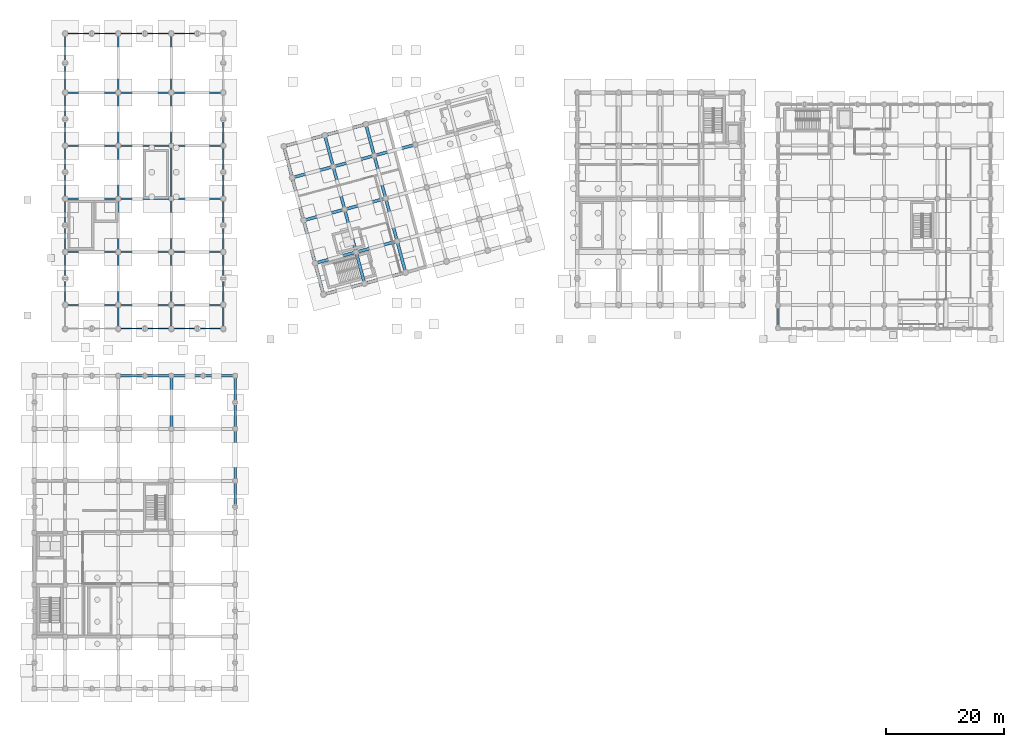
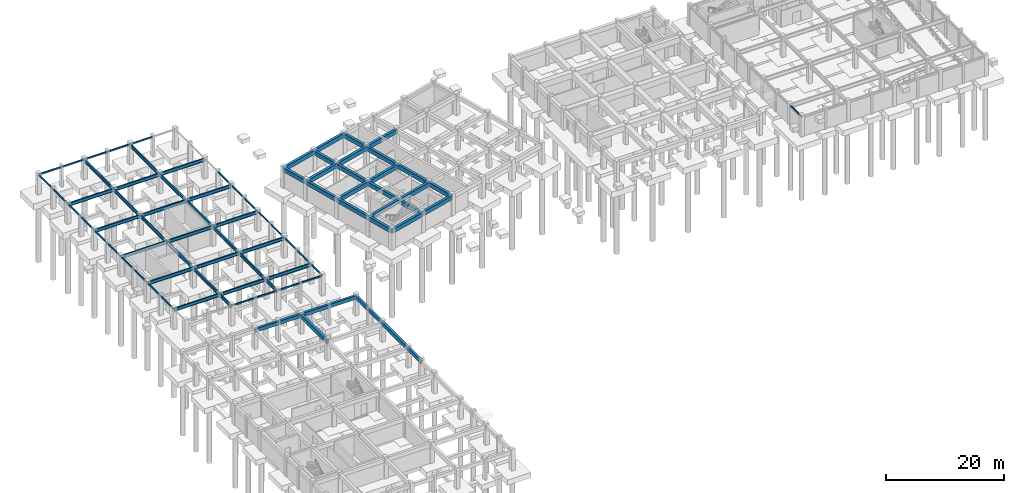
# One storey, part 8 of 20: 87 beams.
"""IFC4 building model written with IfcOpenShell, lengths in metres."""

from ifc_helpers import new_model, si_unit, direction, frame, origin, origin_2d, place, context, subcontext, project, spatial, rectangle, hollow_rectangle, i_section, extrude, material, material_profile, profile_set, type_object, element, save


model = new_model("IFC4")

# Units and contexts
model_context = context("Model", 3, precision=1e-05, world=origin(), true_north=direction((0.0, 1.0)))
body_context = subcontext(model_context, "Body", "Model", "MODEL_VIEW")
ifc_project = project(units=[si_unit("LENGTHUNIT", "METRE"), si_unit("AREAUNIT", "SQUARE_METRE"), si_unit("VOLUMEUNIT", "CUBIC_METRE"), si_unit("PLANEANGLEUNIT", "RADIAN"), si_unit("MASSUNIT", "GRAM", prefix="KILO")], contexts=[model_context])

# Site, building, storey
site_placement = place(None, origin())
site = spatial("IfcSite", under=ifc_project, at=site_placement, CompositionType="ELEMENT")
building_placement = place(site_placement, origin())
building = spatial("IfcBuilding", under=site, at=building_placement, Name="Ventoquebrada Cableway Terminal", CompositionType="ELEMENT")
storey_placement = place(building_placement, frame((0.0, 0.0, -4.5)))
storey = spatial("IfcBuildingStorey", under=building, at=storey_placement, Name="B1", CompositionType="ELEMENT", Elevation=-4.5)

# Beams
ifc_material_1 = material(Name="Concrete C40/50", Category="concrete")
ifc_material_profile_1 = material_profile(ifc_material_1, rectangle(XDim=0.5, YDim=0.85009765625, at=origin_2d()), Name="RC-BM-500X850")
ifc_profile_set_1 = profile_set([ifc_material_profile_1], Name="Concrete C40/50")
beam_type_1 = type_object("IfcBeamType", Name="BM-RC04", PredefinedType="BEAM", material=ifc_profile_set_1)
beam_1_placement = place(storey_placement, frame((26.199951171875, 47.0, 3.655029296875), z_axis=(0.0, 1.0, 0.0), x_axis=(-1.0, 0.0, 0.0)))
element("IfcBeam", 1, at=beam_1_placement, inside=storey, type_object=beam_type_1, Name="Primary frame girder FBM-0062", PredefinedType="BEAM", context=body_context, shape_type="SweptSolid", body=[
    extrude(rectangle(XDim=0.5, YDim=0.85009765625, at=origin_2d()), origin(), (0.0, 0.0, 1.0), 9.0),
])
beam_2_placement = place(storey_placement, frame((51.97802734375, 69.783935546875, 3.72509765625), z_axis=(-0.258897298886, 0.965904854853, 0.0), x_axis=(-0.965904854853, -0.258897298886, 0.0)))
element("IfcBeam", 2, at=beam_2_placement, inside=storey, type_object=beam_type_1, Name="Splayed station girder FBM-0905", PredefinedType="BEAM", context=body_context, shape_type="SweptSolid", body=[
    extrude(rectangle(XDim=0.5, YDim=0.85009765625, at=origin_2d()), origin(), (0.0, 0.0, 1.0), 5.50048828125),
])
beam_3_placement = place(storey_placement, frame((50.553955078125, 75.096923828125, 3.72509765625), z_axis=(-0.258801172479, 0.965930615067, 0.0), x_axis=(-0.965930615067, -0.258801172479, 0.0)))
element("IfcBeam", 3, at=beam_3_placement, inside=storey, type_object=beam_type_1, Name="Splayed station girder FBM-0906", PredefinedType="BEAM", context=body_context, shape_type="SweptSolid", body=[
    extrude(rectangle(XDim=0.5, YDim=0.85009765625, at=origin_2d()), origin(), (0.0, 0.0, 1.0), 7.499755859375),
])
beam_4_placement = place(storey_placement, frame((48.613037109375, 82.341064453125, 3.72509765625), z_axis=(-0.258776761059, 0.965937155273, 0.0), x_axis=(-0.965937155273, -0.258776761059, 0.0)))
element("IfcBeam", 4, at=beam_4_placement, inside=storey, type_object=beam_type_1, Name="Splayed station girder FBM-0907", PredefinedType="BEAM", context=body_context, shape_type="SweptSolid", body=[
    extrude(rectangle(XDim=0.5, YDim=0.85009765625, at=origin_2d()), origin(), (0.0, 0.0, 1.0), 7.500244140625),
])
beam_5_placement = place(storey_placement, frame((46.672119140625, 89.5859375, 3.72509765625), z_axis=(-0.25877602824, 0.965937351596, 0.0), x_axis=(-0.965937351596, -0.25877602824, 0.0)))
element("IfcBeam", 5, at=beam_5_placement, inside=storey, type_object=beam_type_1, Name="Splayed station girder FBM-0908", PredefinedType="BEAM", context=body_context, shape_type="SweptSolid", body=[
    extrude(rectangle(XDim=0.5, YDim=0.85009765625, at=origin_2d()), origin(), (0.0, 0.0, 1.0), 5.499267578125),
])
beam_6_placement = place(storey_placement, frame((58.93310546875, 71.64794921875, 3.72509765625), z_axis=(-0.258941703614, 0.965892951693, 0.0), x_axis=(-0.965892951693, -0.258941703614, 0.0)))
element("IfcBeam", 6, at=beam_6_placement, inside=storey, type_object=beam_type_1, Name="Splayed station girder FBM-0909", PredefinedType="BEAM", context=body_context, shape_type="SweptSolid", body=[
    extrude(rectangle(XDim=0.5, YDim=0.85009765625, at=origin_2d()), origin(), (0.0, 0.0, 1.0), 5.49951171875),
])
beam_7_placement = place(storey_placement, frame((57.509033203125, 76.9599609375, 3.72509765625), z_axis=(-0.258768624905, 0.96593933493, 0.0), x_axis=(-0.96593933493, -0.258768624905, 0.0)))
element("IfcBeam", 7, at=beam_7_placement, inside=storey, type_object=beam_type_1, Name="Splayed station girder FBM-0910", PredefinedType="BEAM", context=body_context, shape_type="SweptSolid", body=[
    extrude(rectangle(XDim=0.5, YDim=0.85009765625, at=origin_2d()), origin(), (0.0, 0.0, 1.0), 7.50048828125),
])
beam_8_placement = place(storey_placement, frame((55.568115234375, 84.205078125, 3.72509765625), z_axis=(-0.258839684269, 0.965920295805, 0.0), x_axis=(-0.965920295805, -0.258839684269, 0.0)))
element("IfcBeam", 8, at=beam_8_placement, inside=storey, type_object=beam_type_1, Name="Splayed station girder FBM-0911", PredefinedType="BEAM", context=body_context, shape_type="SweptSolid", body=[
    extrude(rectangle(XDim=0.5, YDim=0.85009765625, at=origin_2d()), origin(), (0.0, 0.0, 1.0), 7.49951171875),
])
beam_9_placement = place(storey_placement, frame((53.626953125, 91.448974609375, 3.72509765625), z_axis=(-0.258897298886, 0.965904854853, 0.0), x_axis=(-0.965904854853, -0.258897298886, 0.0)))
element("IfcBeam", 9, at=beam_9_placement, inside=storey, type_object=beam_type_1, Name="Splayed station girder FBM-0912", PredefinedType="BEAM", context=body_context, shape_type="SweptSolid", body=[
    extrude(rectangle(XDim=0.5, YDim=0.85009765625, at=origin_2d()), origin(), (0.0, 0.0, 1.0), 5.50048828125),
])
beam_10_placement = place(storey_placement, frame((65.886962890625, 73.510986328125, 3.72509765625), z_axis=(-0.258690231517, 0.96596033258, 0.0), x_axis=(-0.96596033258, -0.258690231517, 0.0)))
element("IfcBeam", 10, at=beam_10_placement, inside=storey, type_object=beam_type_1, Name="Splayed station girder FBM-0913", PredefinedType="BEAM", context=body_context, shape_type="SweptSolid", body=[
    extrude(rectangle(XDim=0.5, YDim=0.85009765625, at=origin_2d()), origin(), (0.0, 0.0, 1.0), 5.500244140625),
])
beam_11_placement = place(storey_placement, frame((64.464111328125, 78.823974609375, 3.72509765625), z_axis=(-0.258831545324, 0.965922476778, 0.0), x_axis=(-0.965922476778, -0.258831545324, 0.0)))
element("IfcBeam", 11, at=beam_11_placement, inside=storey, type_object=beam_type_1, Name="Splayed station girder FBM-0914", PredefinedType="BEAM", context=body_context, shape_type="SweptSolid", body=[
    extrude(rectangle(XDim=0.5, YDim=0.85009765625, at=origin_2d()), origin(), (0.0, 0.0, 1.0), 7.499755859375),
])
beam_12_placement = place(storey_placement, frame((62.52294921875, 86.068115234375, 3.72509765625), z_axis=(-0.258776761059, 0.965937155273, 0.0), x_axis=(-0.965937155273, -0.258776761059, 0.0)))
element("IfcBeam", 12, at=beam_12_placement, inside=storey, type_object=beam_type_1, Name="Splayed station girder FBM-0915", PredefinedType="BEAM", context=body_context, shape_type="SweptSolid", body=[
    extrude(rectangle(XDim=0.5, YDim=0.85009765625, at=origin_2d()), origin(), (0.0, 0.0, 1.0), 7.500244140625),
])
beam_13_placement = place(storey_placement, frame((60.58203125, 93.31298828125, 3.72509765625), z_axis=(-0.258941703614, 0.965892951693, 0.0), x_axis=(-0.965892951693, -0.258941703614, 0.0)))
element("IfcBeam", 13, at=beam_13_placement, inside=storey, type_object=beam_type_1, Name="Splayed station girder FBM-0916", PredefinedType="BEAM", context=body_context, shape_type="SweptSolid", body=[
    extrude(rectangle(XDim=0.5, YDim=0.85009765625, at=origin_2d()), origin(), (0.0, 0.0, 1.0), 5.49951171875),
])
beam_14_placement = place(storey_placement, frame((51.97802734375, 69.783935546875, 3.72509765625), z_axis=(0.96591172503, 0.258871665986, 0.0), x_axis=(-0.258871665986, 0.96591172503, 0.0)))
element("IfcBeam", 14, at=beam_14_placement, inside=storey, type_object=beam_type_1, Name="Splayed station girder FBM-0929", PredefinedType="BEAM", context=body_context, shape_type="SweptSolid", body=[
    extrude(rectangle(XDim=0.5, YDim=0.85009765625, at=origin_2d()), origin(), (0.0, 0.0, 1.0), 7.200439453125),
])
beam_15_placement = place(storey_placement, frame((58.93310546875, 71.64794921875, 3.72509765625), z_axis=(0.965934277216, 0.258787503754, 0.0), x_axis=(-0.258787503754, 0.965934277216, 0.0)))
element("IfcBeam", 15, at=beam_15_placement, inside=storey, type_object=beam_type_1, Name="Splayed station girder FBM-0930", PredefinedType="BEAM", context=body_context, shape_type="SweptSolid", body=[
    extrude(rectangle(XDim=0.5, YDim=0.85009765625, at=origin_2d()), origin(), (0.0, 0.0, 1.0), 7.19921875),
])
beam_16_placement = place(storey_placement, frame((50.553955078125, 75.096923828125, 3.72509765625), z_axis=(0.965945630245, 0.258745124417, 0.0), x_axis=(-0.258745124417, 0.965945630245, 0.0)))
element("IfcBeam", 16, at=beam_16_placement, inside=storey, type_object=beam_type_1, Name="Splayed station girder FBM-0934", PredefinedType="BEAM", context=body_context, shape_type="SweptSolid", body=[
    extrude(rectangle(XDim=0.5, YDim=0.85009765625, at=origin_2d()), origin(), (0.0, 0.0, 1.0), 7.2001953125),
])
for number, where, z_axis, x_axis, name in (
    (17, (57.509033203125, 76.9599609375, 3.72509765625), (0.96591172503, 0.258871665986, 0.0), (-0.258871665986, 0.96591172503, 0.0), "Splayed station girder FBM-0935"),
    (18, (48.613037109375, 82.341064453125, 3.72509765625), (0.96591172503, 0.258871665986, 0.0), (-0.258871665986, 0.96591172503, 0.0), "Splayed station girder FBM-0939"),
):
    element("IfcBeam", number, at=place(storey_placement, frame(where, z_axis=z_axis, x_axis=x_axis)), inside=storey, type_object=beam_type_1, Name=name, PredefinedType="BEAM", context=body_context, shape_type="SweptSolid", body=[
        extrude(rectangle(XDim=0.5, YDim=0.85009765625, at=origin_2d()), origin(), (0.0, 0.0, 1.0), 7.200439453125),
    ])
for number, where, z_axis, x_axis, name in (
    (19, (55.568115234375, 84.205078125, 3.72509765625), (0.965943360086, 0.258753599214, 0.0), (-0.258753599214, 0.965943360086, 0.0), "Splayed station girder FBM-0940"),
    (20, (46.672119140625, 89.5859375, 3.72509765625), (0.965943360086, 0.258753599214, 0.0), (-0.258753599214, 0.965943360086, 0.0), "Splayed station girder FBM-0944"),
):
    element("IfcBeam", number, at=place(storey_placement, frame(where, z_axis=z_axis, x_axis=x_axis)), inside=storey, type_object=beam_type_1, Name=name, PredefinedType="BEAM", context=body_context, shape_type="SweptSolid", body=[
        extrude(rectangle(XDim=0.5, YDim=0.85009765625, at=origin_2d()), origin(), (0.0, 0.0, 1.0), 7.199951171875),
    ])
beam_17_placement = place(storey_placement, frame((53.626953125, 91.448974609375, 3.72509765625), z_axis=(0.96591172503, 0.258871665986, 0.0), x_axis=(-0.258871665986, 0.96591172503, 0.0)))
element("IfcBeam", 21, at=beam_17_placement, inside=storey, type_object=beam_type_1, Name="Splayed station girder FBM-0945", PredefinedType="BEAM", context=body_context, shape_type="SweptSolid", body=[
    extrude(rectangle(XDim=0.5, YDim=0.85009765625, at=origin_2d()), origin(), (0.0, 0.0, 1.0), 7.200439453125),
])
beam_18_placement = place(storey_placement, frame((60.58203125, 93.31298828125, 3.72509765625), z_axis=(0.965934277216, 0.258787503754, 0.0), x_axis=(-0.258787503754, 0.965934277216, 0.0)))
element("IfcBeam", 22, at=beam_18_placement, inside=storey, type_object=beam_type_1, Name="Splayed station girder FBM-0946", PredefinedType="BEAM", context=body_context, shape_type="SweptSolid", body=[
    extrude(rectangle(XDim=0.5, YDim=0.85009765625, at=origin_2d()), origin(), (0.0, 0.0, 1.0), 7.19921875),
])
beam_19_placement = place(storey_placement, frame((45.2490234375, 94.89794921875, 3.72509765625), z_axis=(0.965900361292, 0.258914063071, 0.0), x_axis=(-0.258914063071, 0.965900361292, 0.0)))
element("IfcBeam", 23, at=beam_19_placement, inside=storey, type_object=beam_type_1, Name="Splayed station girder FBM-0949", PredefinedType="BEAM", context=body_context, shape_type="SweptSolid", body=[
    extrude(rectangle(XDim=0.5, YDim=0.85009765625, at=origin_2d()), origin(), (0.0, 0.0, 1.0), 7.199462890625),
])
beam_20_placement = place(storey_placement, frame((52.202880859375, 96.761962890625, 3.72509765625), z_axis=(0.965945630245, 0.258745124417, 0.0), x_axis=(-0.258745124417, 0.965945630245, 0.0)))
element("IfcBeam", 24, at=beam_20_placement, inside=storey, type_object=beam_type_1, Name="Splayed station girder FBM-0950", PredefinedType="BEAM", context=body_context, shape_type="SweptSolid", body=[
    extrude(rectangle(XDim=0.5, YDim=0.85009765625, at=origin_2d()), origin(), (0.0, 0.0, 1.0), 7.2001953125),
])
ifc_material_2 = material(Name="Steel ASTM A992 Grade 50", Category="steel")
ifc_material_profile_2 = material_profile(ifc_material_2, i_section(OverallWidth=0.25390625, OverallDepth=0.68798828125, WebThickness=0.01318359375, FlangeThickness=0.02099609375, at=origin_2d()), Name="W27X102")
ifc_profile_set_2 = profile_set([ifc_material_profile_2], Name="Steel ASTM A992 Grade 50")
beam_type_2 = type_object("IfcBeamType", Name="BM-ST04", PredefinedType="BEAM", material=ifc_profile_set_2)
for number, where, z_axis, x_axis, name in (
    (25, (8.199951171875, 68.0, 3.7958984375), (1.0, 0.0, 0.0), (0.0, 1.0, 0.0), "Primary frame girder FBM-0261"),
    (26, (17.199951171875, 68.0, 3.7958984375), (1.0, 0.0, 0.0), (0.0, 1.0, 0.0), "Primary frame girder FBM-0262"),
):
    element("IfcBeam", number, at=place(storey_placement, frame(where, z_axis=z_axis, x_axis=x_axis)), inside=storey, type_object=beam_type_2, Name=name, PredefinedType="BEAM", context=body_context, shape_type="SweptSolid", body=[
        extrude(i_section(OverallWidth=0.25390625, OverallDepth=0.68798828125, WebThickness=0.01318359375, FlangeThickness=0.02099609375, at=origin_2d()), origin(), (0.0, 0.0, 1.0), 9.0),
    ])
beam_21_placement = place(storey_placement, frame((26.199951171875, 68.0, 3.7958984375), z_axis=(1.0, 0.0, 0.0), x_axis=(0.0, 1.0, 0.0)))
element("IfcBeam", 27, at=beam_21_placement, inside=storey, type_object=beam_type_2, Name="Primary frame girder FBM-0263", PredefinedType="BEAM", context=body_context, shape_type="SweptSolid", body=[
    extrude(i_section(OverallWidth=0.25390625, OverallDepth=0.68798828125, WebThickness=0.01318359375, FlangeThickness=0.02099609375, at=origin_2d()), origin(), (0.0, 0.0, 1.0), 8.800048828125),
])
for number, where, z_axis, x_axis, name in (
    (28, (8.199951171875, 77.0, 3.7958984375), (1.0, 0.0, 0.0), (0.0, 1.0, 0.0), "Primary frame girder FBM-0264"),
    (29, (17.199951171875, 77.0, 3.7958984375), (1.0, 0.0, 0.0), (0.0, 1.0, 0.0), "Primary frame girder FBM-0265"),
):
    element("IfcBeam", number, at=place(storey_placement, frame(where, z_axis=z_axis, x_axis=x_axis)), inside=storey, type_object=beam_type_2, Name=name, PredefinedType="BEAM", context=body_context, shape_type="SweptSolid", body=[
        extrude(i_section(OverallWidth=0.25390625, OverallDepth=0.68798828125, WebThickness=0.01318359375, FlangeThickness=0.02099609375, at=origin_2d()), origin(), (0.0, 0.0, 1.0), 9.0),
    ])
beam_22_placement = place(storey_placement, frame((26.199951171875, 77.0, 3.7958984375), z_axis=(1.0, 0.0, 0.0), x_axis=(0.0, 1.0, 0.0)))
element("IfcBeam", 30, at=beam_22_placement, inside=storey, type_object=beam_type_2, Name="Primary frame girder FBM-0266", PredefinedType="BEAM", context=body_context, shape_type="SweptSolid", body=[
    extrude(i_section(OverallWidth=0.25390625, OverallDepth=0.68798828125, WebThickness=0.01318359375, FlangeThickness=0.02099609375, at=origin_2d()), origin(), (0.0, 0.0, 1.0), 8.800048828125),
])
for number, where, z_axis, x_axis, name in (
    (31, (8.199951171875, 86.0, 3.7958984375), (1.0, 0.0, 0.0), (0.0, 1.0, 0.0), "Primary frame girder FBM-0267"),
    (32, (17.199951171875, 86.0, 3.7958984375), (1.0, 0.0, 0.0), (0.0, 1.0, 0.0), "Primary frame girder FBM-0268"),
):
    element("IfcBeam", number, at=place(storey_placement, frame(where, z_axis=z_axis, x_axis=x_axis)), inside=storey, type_object=beam_type_2, Name=name, PredefinedType="BEAM", context=body_context, shape_type="SweptSolid", body=[
        extrude(i_section(OverallWidth=0.25390625, OverallDepth=0.68798828125, WebThickness=0.01318359375, FlangeThickness=0.02099609375, at=origin_2d()), origin(), (0.0, 0.0, 1.0), 9.0),
    ])
beam_23_placement = place(storey_placement, frame((26.199951171875, 86.0, 3.7958984375), z_axis=(1.0, 0.0, 0.0), x_axis=(0.0, 1.0, 0.0)))
element("IfcBeam", 33, at=beam_23_placement, inside=storey, type_object=beam_type_2, Name="Primary frame girder FBM-0269", PredefinedType="BEAM", context=body_context, shape_type="SweptSolid", body=[
    extrude(i_section(OverallWidth=0.25390625, OverallDepth=0.68798828125, WebThickness=0.01318359375, FlangeThickness=0.02099609375, at=origin_2d()), origin(), (0.0, 0.0, 1.0), 8.800048828125),
])
for number, where, z_axis, x_axis, name in (
    (34, (8.199951171875, 95.0, 3.736083984375), (1.0, 0.0, 0.0), (0.0, 1.0, 0.0), "Primary frame girder FBM-0270"),
    (35, (17.199951171875, 95.0, 3.736083984375), (1.0, 0.0, 0.0), (0.0, 1.0, 0.0), "Primary frame girder FBM-0271"),
):
    element("IfcBeam", number, at=place(storey_placement, frame(where, z_axis=z_axis, x_axis=x_axis)), inside=storey, type_object=beam_type_2, Name=name, PredefinedType="BEAM", context=body_context, shape_type="SweptSolid", body=[
        extrude(i_section(OverallWidth=0.25390625, OverallDepth=0.68798828125, WebThickness=0.01318359375, FlangeThickness=0.02099609375, at=origin_2d()), origin(), (0.0, 0.0, 1.0), 9.0),
    ])
beam_24_placement = place(storey_placement, frame((26.199951171875, 95.0, 3.736083984375), z_axis=(1.0, 0.0, 0.0), x_axis=(0.0, 1.0, 0.0)))
element("IfcBeam", 36, at=beam_24_placement, inside=storey, type_object=beam_type_2, Name="Primary frame girder FBM-0272", PredefinedType="BEAM", context=body_context, shape_type="SweptSolid", body=[
    extrude(i_section(OverallWidth=0.25390625, OverallDepth=0.68798828125, WebThickness=0.01318359375, FlangeThickness=0.02099609375, at=origin_2d()), origin(), (0.0, 0.0, 1.0), 8.800048828125),
])
for number, where, z_axis, x_axis, name in (
    (37, (8.199951171875, 104.0, 3.736083984375), (1.0, 0.0, 0.0), (0.0, 1.0, 0.0), "Primary frame girder FBM-0273"),
    (38, (17.199951171875, 104.0, 3.736083984375), (1.0, 0.0, 0.0), (0.0, 1.0, 0.0), "Primary frame girder FBM-0274"),
):
    element("IfcBeam", number, at=place(storey_placement, frame(where, z_axis=z_axis, x_axis=x_axis)), inside=storey, type_object=beam_type_2, Name=name, PredefinedType="BEAM", context=body_context, shape_type="SweptSolid", body=[
        extrude(i_section(OverallWidth=0.25390625, OverallDepth=0.68798828125, WebThickness=0.01318359375, FlangeThickness=0.02099609375, at=origin_2d()), origin(), (0.0, 0.0, 1.0), 9.0),
    ])
beam_25_placement = place(storey_placement, frame((26.199951171875, 104.0, 3.736083984375), z_axis=(1.0, 0.0, 0.0), x_axis=(0.0, 1.0, 0.0)))
element("IfcBeam", 39, at=beam_25_placement, inside=storey, type_object=beam_type_2, Name="Primary frame girder FBM-0275", PredefinedType="BEAM", context=body_context, shape_type="SweptSolid", body=[
    extrude(i_section(OverallWidth=0.25390625, OverallDepth=0.68798828125, WebThickness=0.01318359375, FlangeThickness=0.02099609375, at=origin_2d()), origin(), (0.0, 0.0, 1.0), 8.800048828125),
])
beam_26_placement = place(storey_placement, frame((17.199951171875, 64.0, 3.7958984375), z_axis=(0.0, 1.0, 0.0), x_axis=(-1.0, 0.0, 0.0)))
element("IfcBeam", 40, at=beam_26_placement, inside=storey, type_object=beam_type_2, Name="Primary frame girder FBM-0293", PredefinedType="BEAM", context=body_context, shape_type="SweptSolid", body=[
    extrude(i_section(OverallWidth=0.25390625, OverallDepth=0.68798828125, WebThickness=0.01318359375, FlangeThickness=0.02099609375, at=origin_2d()), origin(), (0.0, 0.0, 1.0), 4.0),
])
for number, where, z_axis, x_axis, name in (
    (41, (17.199951171875, 68.0, 3.7958984375), (0.0, 1.0, 0.0), (-1.0, 0.0, 0.0), "Primary frame girder FBM-0294"),
    (42, (17.199951171875, 77.0, 3.7958984375), (0.0, 1.0, 0.0), (-1.0, 0.0, 0.0), "Primary frame girder FBM-0295"),
    (43, (17.199951171875, 86.0, 3.7958984375), (0.0, 1.0, 0.0), (-1.0, 0.0, 0.0), "Primary frame girder FBM-0296"),
    (44, (17.199951171875, 95.0, 3.736083984375), (0.0, 1.0, 0.0), (-1.0, 0.0, 0.0), "Primary frame girder FBM-0297"),
):
    element("IfcBeam", number, at=place(storey_placement, frame(where, z_axis=z_axis, x_axis=x_axis)), inside=storey, type_object=beam_type_2, Name=name, PredefinedType="BEAM", context=body_context, shape_type="SweptSolid", body=[
        extrude(i_section(OverallWidth=0.25390625, OverallDepth=0.68798828125, WebThickness=0.01318359375, FlangeThickness=0.02099609375, at=origin_2d()), origin(), (0.0, 0.0, 1.0), 9.0),
    ])
beam_27_placement = place(storey_placement, frame((17.199951171875, 104.0, 3.736083984375), z_axis=(0.0, 1.0, 0.0), x_axis=(-1.0, 0.0, 0.0)))
element("IfcBeam", 45, at=beam_27_placement, inside=storey, type_object=beam_type_2, Name="Primary frame girder FBM-0298", PredefinedType="BEAM", context=body_context, shape_type="SweptSolid", body=[
    extrude(i_section(OverallWidth=0.25390625, OverallDepth=0.68798828125, WebThickness=0.01318359375, FlangeThickness=0.02099609375, at=origin_2d()), origin(), (0.0, 0.0, 1.0), 10.0),
])
beam_28_placement = place(storey_placement, frame((26.199951171875, 64.0, 3.7958984375), z_axis=(0.0, 1.0, 0.0), x_axis=(-1.0, 0.0, 0.0)))
element("IfcBeam", 46, at=beam_28_placement, inside=storey, type_object=beam_type_2, Name="Primary frame girder FBM-0299", PredefinedType="BEAM", context=body_context, shape_type="SweptSolid", body=[
    extrude(i_section(OverallWidth=0.25390625, OverallDepth=0.68798828125, WebThickness=0.01318359375, FlangeThickness=0.02099609375, at=origin_2d()), origin(), (0.0, 0.0, 1.0), 4.0),
])
for number, where, z_axis, x_axis, name in (
    (47, (26.199951171875, 68.0, 3.7958984375), (0.0, 1.0, 0.0), (-1.0, 0.0, 0.0), "Primary frame girder FBM-0300"),
    (48, (26.199951171875, 77.0, 3.7958984375), (0.0, 1.0, 0.0), (-1.0, 0.0, 0.0), "Primary frame girder FBM-0301"),
    (49, (26.199951171875, 86.0, 3.7958984375), (0.0, 1.0, 0.0), (-1.0, 0.0, 0.0), "Primary frame girder FBM-0302"),
    (50, (26.199951171875, 95.0, 3.736083984375), (0.0, 1.0, 0.0), (-1.0, 0.0, 0.0), "Primary frame girder FBM-0303"),
):
    element("IfcBeam", number, at=place(storey_placement, frame(where, z_axis=z_axis, x_axis=x_axis)), inside=storey, type_object=beam_type_2, Name=name, PredefinedType="BEAM", context=body_context, shape_type="SweptSolid", body=[
        extrude(i_section(OverallWidth=0.25390625, OverallDepth=0.68798828125, WebThickness=0.01318359375, FlangeThickness=0.02099609375, at=origin_2d()), origin(), (0.0, 0.0, 1.0), 9.0),
    ])
beam_29_placement = place(storey_placement, frame((26.199951171875, 104.0, 3.736083984375), z_axis=(0.0, 1.0, 0.0), x_axis=(-1.0, 0.0, 0.0)))
element("IfcBeam", 51, at=beam_29_placement, inside=storey, type_object=beam_type_2, Name="Primary frame girder FBM-0304", PredefinedType="BEAM", context=body_context, shape_type="SweptSolid", body=[
    extrude(i_section(OverallWidth=0.25390625, OverallDepth=0.68798828125, WebThickness=0.01318359375, FlangeThickness=0.02099609375, at=origin_2d()), origin(), (0.0, 0.0, 1.0), 10.0),
])
ifc_material_profile_3 = material_profile(ifc_material_1, rectangle(XDim=0.449951171875, YDim=0.75, at=origin_2d()), Name="RC-BM-450X750")
ifc_profile_set_3 = profile_set([ifc_material_profile_3], Name="Concrete C40/50")
beam_type_3 = type_object("IfcBeamType", Name="SP-RC02", PredefinedType="SPANDREL", material=ifc_profile_set_3)
for number, where, z_axis, x_axis, name in (
    (52, (17.199951171875, 56.0, 3.705078125), (1.0, 0.0, 0.0), (0.0, 1.0, 0.0), "Perimeter spandrel beam FBM-0031"),
    (53, (21.699951171875, 56.0, 3.705078125), (1.0, 0.0, 0.0), (0.0, 1.0, 0.0), "Perimeter spandrel beam FBM-0032"),
):
    element("IfcBeam", number, at=place(storey_placement, frame(where, z_axis=z_axis, x_axis=x_axis)), inside=storey, type_object=beam_type_3, Name=name, PredefinedType="SPANDREL", context=body_context, shape_type="SweptSolid", body=[
        extrude(rectangle(XDim=0.449951171875, YDim=0.75, at=origin_2d()), origin(), (0.0, 0.0, 1.0), 4.5),
    ])
beam_30_placement = place(storey_placement, frame((26.199951171875, 56.0, 3.705078125), z_axis=(1.0, 0.0, 0.0), x_axis=(0.0, 1.0, 0.0)))
element("IfcBeam", 54, at=beam_30_placement, inside=storey, type_object=beam_type_3, Name="Perimeter spandrel beam FBM-0033", PredefinedType="SPANDREL", context=body_context, shape_type="SweptSolid", body=[
    extrude(rectangle(XDim=0.449951171875, YDim=0.75, at=origin_2d()), origin(), (0.0, 0.0, 1.0), 5.400146484375),
])
beam_31_placement = place(storey_placement, frame((31.60009765625, 56.0, 3.705078125), z_axis=(1.0, 0.0, 0.0), x_axis=(0.0, 1.0, 0.0)))
element("IfcBeam", 55, at=beam_31_placement, inside=storey, type_object=beam_type_3, Name="Perimeter spandrel beam FBM-0034", PredefinedType="SPANDREL", context=body_context, shape_type="SweptSolid", body=[
    extrude(rectangle(XDim=0.449951171875, YDim=0.75, at=origin_2d()), origin(), (0.0, 0.0, 1.0), 5.39990234375),
])
beam_32_placement = place(storey_placement, frame((37.0, 33.800048828125, 3.705078125), z_axis=(0.0, 1.0, 0.0), x_axis=(-1.0, 0.0, 0.0)))
element("IfcBeam", 56, at=beam_32_placement, inside=storey, type_object=beam_type_3, Name="Perimeter spandrel beam FBM-0069", PredefinedType="SPANDREL", context=body_context, shape_type="SweptSolid", body=[
    extrude(rectangle(XDim=0.449951171875, YDim=0.75, at=origin_2d()), origin(), (0.0, 0.0, 1.0), 4.39990234375),
])
beam_33_placement = place(storey_placement, frame((37.0, 38.199951171875, 3.705078125), z_axis=(0.0, 1.0, 0.0), x_axis=(-1.0, 0.0, 0.0)))
element("IfcBeam", 57, at=beam_33_placement, inside=storey, type_object=beam_type_3, Name="Perimeter spandrel beam FBM-0070", PredefinedType="SPANDREL", context=body_context, shape_type="SweptSolid", body=[
    extrude(rectangle(XDim=0.449951171875, YDim=0.75, at=origin_2d()), origin(), (0.0, 0.0, 1.0), 8.800048828125),
])
for number, where, z_axis, x_axis, name in (
    (58, (37.0, 47.0, 3.705078125), (0.0, 1.0, 0.0), (-1.0, 0.0, 0.0), "Perimeter spandrel beam FBM-0071"),
    (59, (37.0, 51.5, 3.705078125), (0.0, 1.0, 0.0), (-1.0, 0.0, 0.0), "Perimeter spandrel beam FBM-0072"),
):
    element("IfcBeam", number, at=place(storey_placement, frame(where, z_axis=z_axis, x_axis=x_axis)), inside=storey, type_object=beam_type_3, Name=name, PredefinedType="SPANDREL", context=body_context, shape_type="SweptSolid", body=[
        extrude(rectangle(XDim=0.449951171875, YDim=0.75, at=origin_2d()), origin(), (0.0, 0.0, 1.0), 4.5),
    ])
ifc_material_3 = material(Name="Steel ASTM A500 Grade C", Category="steel")
ifc_material_profile_4 = material_profile(ifc_material_3, hollow_rectangle(XDim=0.199951171875, YDim=0.300048828125, WallThickness=0.012451171875, at=origin_2d()), Name="RHS300X200X12.5")
ifc_profile_set_4 = profile_set([ifc_material_profile_4], Name="Steel ASTM A500 Grade C")
beam_type_4 = type_object("IfcBeamType", Name="SP-ST02", PredefinedType="SPANDREL", material=ifc_profile_set_4)
for number, where, z_axis, x_axis, name in (
    (60, (17.199951171875, 64.0, 3.929931640625), (1.0, 0.0, 0.0), (0.0, 1.0, 0.0), "Perimeter spandrel beam FBM-0257"),
    (61, (21.699951171875, 64.0, 3.929931640625), (1.0, 0.0, 0.0), (0.0, 1.0, 0.0), "Perimeter spandrel beam FBM-0258"),
):
    element("IfcBeam", number, at=place(storey_placement, frame(where, z_axis=z_axis, x_axis=x_axis)), inside=storey, type_object=beam_type_4, Name=name, PredefinedType="SPANDREL", context=body_context, shape_type="SweptSolid", body=[
        extrude(hollow_rectangle(XDim=0.199951171875, YDim=0.300048828125, WallThickness=0.012451171875, at=origin_2d()), origin(), (0.0, 0.0, 1.0), 4.5),
    ])
beam_34_placement = place(storey_placement, frame((26.199951171875, 64.0, 3.929931640625), z_axis=(1.0, 0.0, 0.0), x_axis=(0.0, 1.0, 0.0)))
element("IfcBeam", 62, at=beam_34_placement, inside=storey, type_object=beam_type_4, Name="Perimeter spandrel beam FBM-0259", PredefinedType="SPANDREL", context=body_context, shape_type="SweptSolid", body=[
    extrude(hollow_rectangle(XDim=0.199951171875, YDim=0.300048828125, WallThickness=0.012451171875, at=origin_2d()), origin(), (0.0, 0.0, 1.0), 4.400146484375),
])
beam_35_placement = place(storey_placement, frame((30.60009765625, 64.0, 3.929931640625), z_axis=(1.0, 0.0, 0.0), x_axis=(0.0, 1.0, 0.0)))
element("IfcBeam", 63, at=beam_35_placement, inside=storey, type_object=beam_type_4, Name="Perimeter spandrel beam FBM-0260", PredefinedType="SPANDREL", context=body_context, shape_type="SweptSolid", body=[
    extrude(hollow_rectangle(XDim=0.199951171875, YDim=0.300048828125, WallThickness=0.012451171875, at=origin_2d()), origin(), (0.0, 0.0, 1.0), 4.39990234375),
])
for number, where, z_axis, x_axis, name in (
    (64, (8.199951171875, 114.0, 3.929931640625), (1.0, 0.0, 0.0), (0.0, 1.0, 0.0), "Perimeter spandrel beam FBM-0276"),
    (65, (12.699951171875, 114.0, 3.929931640625), (1.0, 0.0, 0.0), (0.0, 1.0, 0.0), "Perimeter spandrel beam FBM-0277"),
    (66, (17.199951171875, 114.0, 3.929931640625), (1.0, 0.0, 0.0), (0.0, 1.0, 0.0), "Perimeter spandrel beam FBM-0278"),
    (67, (21.699951171875, 114.0, 3.929931640625), (1.0, 0.0, 0.0), (0.0, 1.0, 0.0), "Perimeter spandrel beam FBM-0279"),
):
    element("IfcBeam", number, at=place(storey_placement, frame(where, z_axis=z_axis, x_axis=x_axis)), inside=storey, type_object=beam_type_4, Name=name, PredefinedType="SPANDREL", context=body_context, shape_type="SweptSolid", body=[
        extrude(hollow_rectangle(XDim=0.199951171875, YDim=0.300048828125, WallThickness=0.012451171875, at=origin_2d()), origin(), (0.0, 0.0, 1.0), 4.5),
    ])
beam_36_placement = place(storey_placement, frame((26.199951171875, 114.0, 3.929931640625), z_axis=(1.0, 0.0, 0.0), x_axis=(0.0, 1.0, 0.0)))
element("IfcBeam", 68, at=beam_36_placement, inside=storey, type_object=beam_type_4, Name="Perimeter spandrel beam FBM-0280", PredefinedType="SPANDREL", context=body_context, shape_type="SweptSolid", body=[
    extrude(hollow_rectangle(XDim=0.199951171875, YDim=0.300048828125, WallThickness=0.012451171875, at=origin_2d()), origin(), (0.0, 0.0, 1.0), 4.400146484375),
])
for number, where, z_axis, x_axis, name in (
    (69, (8.199951171875, 68.0, 3.929931640625), (0.0, 1.0, 0.0), (-1.0, 0.0, 0.0), "Perimeter spandrel beam FBM-0283"),
    (70, (8.199951171875, 72.5, 3.929931640625), (0.0, 1.0, 0.0), (-1.0, 0.0, 0.0), "Perimeter spandrel beam FBM-0284"),
    (71, (8.199951171875, 77.0, 3.929931640625), (0.0, 1.0, 0.0), (-1.0, 0.0, 0.0), "Perimeter spandrel beam FBM-0285"),
    (72, (8.199951171875, 81.5, 3.929931640625), (0.0, 1.0, 0.0), (-1.0, 0.0, 0.0), "Perimeter spandrel beam FBM-0286"),
    (73, (8.199951171875, 86.0, 3.929931640625), (0.0, 1.0, 0.0), (-1.0, 0.0, 0.0), "Perimeter spandrel beam FBM-0287"),
    (74, (8.199951171875, 90.5, 3.929931640625), (0.0, 1.0, 0.0), (-1.0, 0.0, 0.0), "Perimeter spandrel beam FBM-0288"),
    (75, (8.199951171875, 95.0, 3.929931640625), (0.0, 1.0, 0.0), (-1.0, 0.0, 0.0), "Perimeter spandrel beam FBM-0289"),
    (76, (8.199951171875, 99.5, 3.929931640625), (0.0, 1.0, 0.0), (-1.0, 0.0, 0.0), "Perimeter spandrel beam FBM-0290"),
):
    element("IfcBeam", number, at=place(storey_placement, frame(where, z_axis=z_axis, x_axis=x_axis)), inside=storey, type_object=beam_type_4, Name=name, PredefinedType="SPANDREL", context=body_context, shape_type="SweptSolid", body=[
        extrude(hollow_rectangle(XDim=0.199951171875, YDim=0.300048828125, WallThickness=0.012451171875, at=origin_2d()), origin(), (0.0, 0.0, 1.0), 4.5),
    ])
for number, where, z_axis, x_axis, name in (
    (77, (8.199951171875, 104.0, 3.929931640625), (0.0, 1.0, 0.0), (-1.0, 0.0, 0.0), "Perimeter spandrel beam FBM-0291"),
    (78, (8.199951171875, 109.0, 3.929931640625), (0.0, 1.0, 0.0), (-1.0, 0.0, 0.0), "Perimeter spandrel beam FBM-0292"),
):
    element("IfcBeam", number, at=place(storey_placement, frame(where, z_axis=z_axis, x_axis=x_axis)), inside=storey, type_object=beam_type_4, Name=name, PredefinedType="SPANDREL", context=body_context, shape_type="SweptSolid", body=[
        extrude(hollow_rectangle(XDim=0.199951171875, YDim=0.300048828125, WallThickness=0.012451171875, at=origin_2d()), origin(), (0.0, 0.0, 1.0), 5.0),
    ])
beam_37_placement = place(storey_placement, frame((35.0, 64.0, 3.929931640625), z_axis=(0.0, 1.0, 0.0), x_axis=(-1.0, 0.0, 0.0)))
element("IfcBeam", 79, at=beam_37_placement, inside=storey, type_object=beam_type_4, Name="Perimeter spandrel beam FBM-0305", PredefinedType="SPANDREL", context=body_context, shape_type="SweptSolid", body=[
    extrude(hollow_rectangle(XDim=0.199951171875, YDim=0.300048828125, WallThickness=0.012451171875, at=origin_2d()), origin(), (0.0, 0.0, 1.0), 4.0),
])
for number, where, z_axis, x_axis, name in (
    (80, (35.0, 68.0, 3.929931640625), (0.0, 1.0, 0.0), (-1.0, 0.0, 0.0), "Perimeter spandrel beam FBM-0306"),
    (81, (35.0, 72.5, 3.929931640625), (0.0, 1.0, 0.0), (-1.0, 0.0, 0.0), "Perimeter spandrel beam FBM-0307"),
    (82, (35.0, 77.0, 3.929931640625), (0.0, 1.0, 0.0), (-1.0, 0.0, 0.0), "Perimeter spandrel beam FBM-0308"),
    (83, (35.0, 81.5, 3.929931640625), (0.0, 1.0, 0.0), (-1.0, 0.0, 0.0), "Perimeter spandrel beam FBM-0309"),
    (84, (35.0, 86.0, 3.929931640625), (0.0, 1.0, 0.0), (-1.0, 0.0, 0.0), "Perimeter spandrel beam FBM-0310"),
    (85, (35.0, 90.5, 3.929931640625), (0.0, 1.0, 0.0), (-1.0, 0.0, 0.0), "Perimeter spandrel beam FBM-0311"),
    (86, (35.0, 95.0, 3.929931640625), (0.0, 1.0, 0.0), (-1.0, 0.0, 0.0), "Perimeter spandrel beam FBM-0312"),
):
    element("IfcBeam", number, at=place(storey_placement, frame(where, z_axis=z_axis, x_axis=x_axis)), inside=storey, type_object=beam_type_4, Name=name, PredefinedType="SPANDREL", context=body_context, shape_type="SweptSolid", body=[
        extrude(hollow_rectangle(XDim=0.199951171875, YDim=0.300048828125, WallThickness=0.012451171875, at=origin_2d()), origin(), (0.0, 0.0, 1.0), 4.5),
    ])
beam_38_placement = place(storey_placement, frame((129.0, 64.0, 3.929931640625), z_axis=(0.0, 1.0, 0.0), x_axis=(-1.0, 0.0, 0.0)))
element("IfcBeam", 87, at=beam_38_placement, inside=storey, type_object=beam_type_4, Name="Perimeter spandrel beam FBM-0733", PredefinedType="SPANDREL", context=body_context, shape_type="SweptSolid", body=[
    extrude(hollow_rectangle(XDim=0.199951171875, YDim=0.300048828125, WallThickness=0.012451171875, at=origin_2d()), origin(), (0.0, 0.0, 1.0), 4.0),
])

save(model, "model.ifc")
